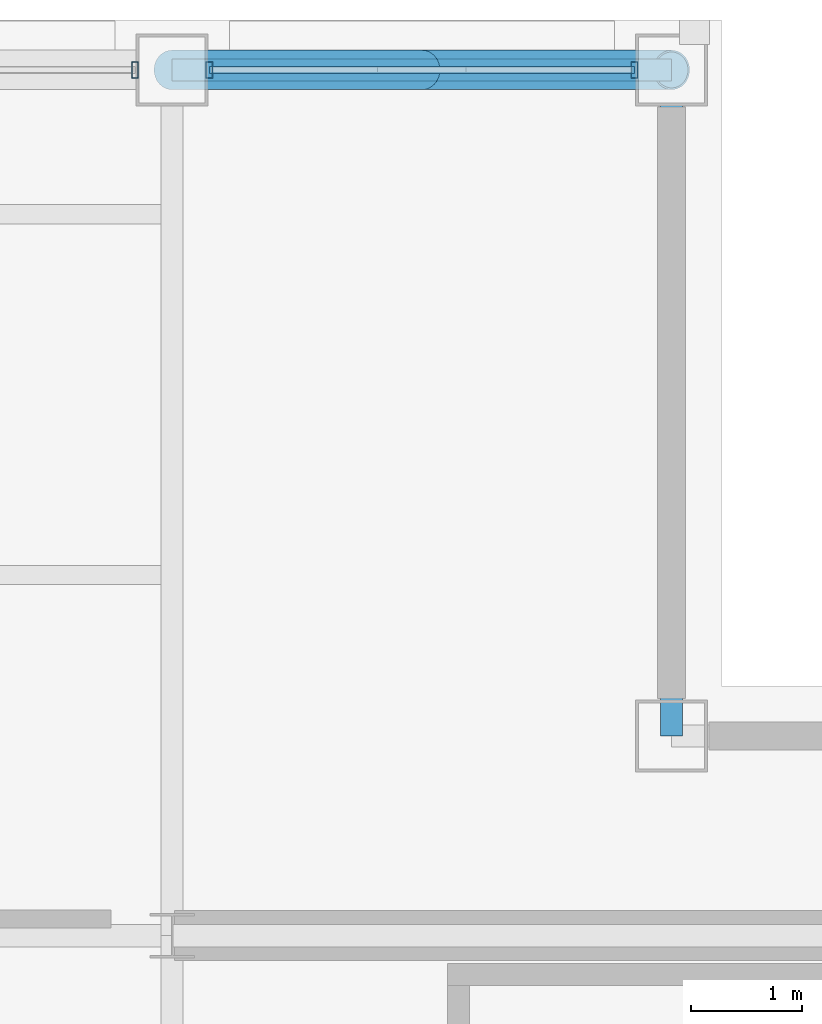
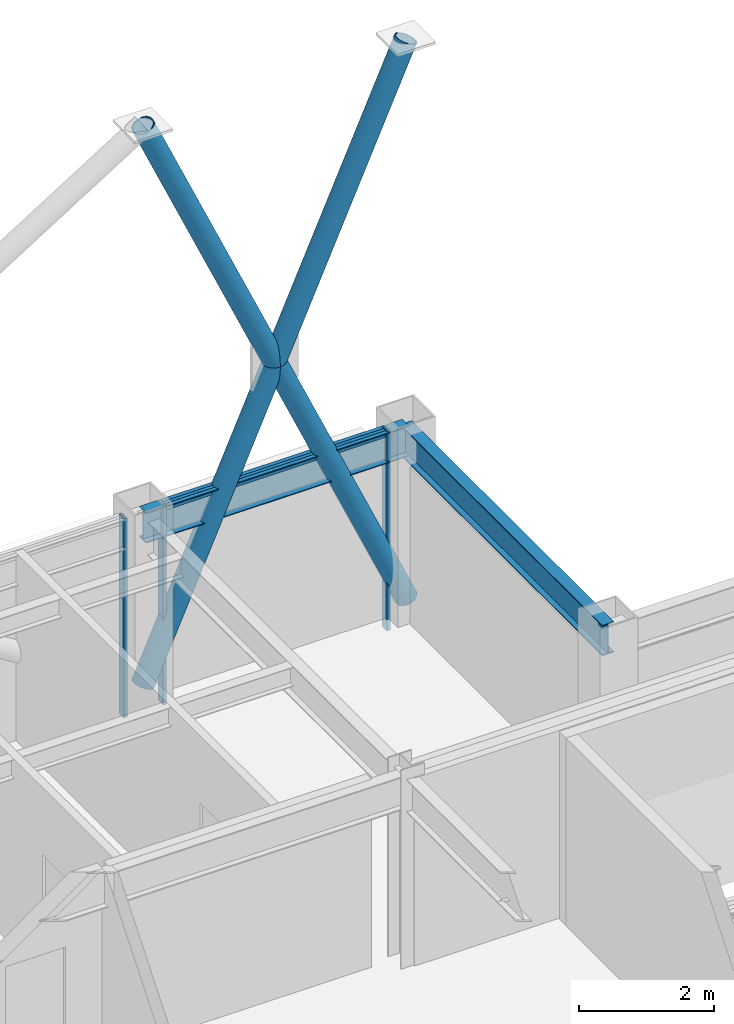
# One storey, part 19 of 26: 7 members, 2 beams, 2 elements without a shape of their own.
"""IFC4 building model written with IfcOpenShell, lengths in metres."""

from ifc_helpers import new_model, si_unit, direction, frame, origin, origin_2d, place, context, subcontext, project, spatial, hollow_rectangle, hollow_circle, i_section, extrude, material, layer, layer_set, material_profile, profile_set, type_object, element, aggregate, save


model = new_model("IFC4")

# Units and contexts
model_context = context("Model", 3, precision=1e-05, world=origin(), true_north=direction((0.0, 1.0)))
body_context = subcontext(model_context, "Body", "Model", "MODEL_VIEW")
ifc_project = project(units=[si_unit("LENGTHUNIT", "METRE"), si_unit("AREAUNIT", "SQUARE_METRE"), si_unit("VOLUMEUNIT", "CUBIC_METRE"), si_unit("PLANEANGLEUNIT", "RADIAN"), si_unit("MASSUNIT", "GRAM", prefix="KILO")], contexts=[model_context])

# Site, building, storey
site_placement = place(None, origin())
site = spatial("IfcSite", under=ifc_project, at=site_placement, CompositionType="ELEMENT")
building_placement = place(site_placement, origin())
building = spatial("IfcBuilding", under=site, at=building_placement, Name="Brelmoor Portico Tower", CompositionType="ELEMENT")
storey_placement = place(building_placement, frame((0.0, 0.0, 247.199951171875)))
storey = spatial("IfcBuildingStorey", under=building, at=storey_placement, Name="L65", CompositionType="ELEMENT", Elevation=247.199951171875)

# Beams
ifc_material_1 = material(Name="Steel Q355B", Category="steel")
ifc_material_profile_1 = material_profile(ifc_material_1, i_section(OverallWidth=0.199951171875, OverallDepth=0.550048828125, WebThickness=0.010009765625, FlangeThickness=0.01611328125, at=origin_2d()), Name="HN 550x200x10x16")
ifc_profile_set_1 = profile_set([ifc_material_profile_1], Name="Steel Q355B")
beam_type = type_object("IfcBeamType", Name="BM-SP-550", PredefinedType="SPANDREL", material=ifc_profile_set_1)
beam_1_placement = place(storey_placement, frame((8.050048828125, 17.550048828125, 3.125), z_axis=(1.0, 0.0, 0.0), x_axis=(0.0, 1.0, 0.0)))
element("IfcBeam", 1, at=beam_1_placement, inside=storey, type_object=beam_type, Name="L65 Perimeter Spandrel Beam SP-10", PredefinedType="SPANDREL", context=body_context, shape_type="SweptSolid", body=[
    extrude(i_section(OverallWidth=0.199951171875, OverallDepth=0.550048828125, WebThickness=0.010009765625, FlangeThickness=0.01611328125, at=origin_2d()), origin(), (0.0, 0.0, 1.0), 4.5),
])
beam_2_placement = place(storey_placement, frame((12.550048828125, 11.550048828125, 3.125), z_axis=(0.0, 1.0, 0.0), x_axis=(-1.0, 0.0, 0.0)))
element("IfcBeam", 2, at=beam_2_placement, inside=storey, type_object=beam_type, Name="L65 Perimeter Spandrel Beam SP-17", PredefinedType="SPANDREL", context=body_context, shape_type="SweptSolid", body=[
    extrude(i_section(OverallWidth=0.199951171875, OverallDepth=0.550048828125, WebThickness=0.010009765625, FlangeThickness=0.01611328125, at=origin_2d()), origin(), (0.0, 0.0, 1.0), 6.0),
])

# Members
ifc_material_profile_2 = material_profile(ifc_material_1, hollow_circle(Radius=0.177978515625, WallThickness=0.01611328125, at=origin_2d()), Name="CHS 356x16")
ifc_profile_set_2 = profile_set([ifc_material_profile_2], Name="Steel Q355B")
member_type_1 = type_object("IfcMemberType", Name="MB-BELT-DIAG2", PredefinedType="BRACE", material=ifc_profile_set_2)
member_1_placement = place(storey_placement, frame((8.050048828125, 17.550048828125, 0.25), z_axis=(0.406974140277, 0.0, 0.913439680081), x_axis=(0.0, 1.0, 0.0)))
element("IfcMember", 3, at=member_1_placement, inside=storey, type_object=member_type_1, Name="L65 Continuous Mega-X Brace 148A", PredefinedType="BRACE", context=body_context, shape_type="SweptSolid", body=[
    extrude(hollow_circle(Radius=0.177978515625, WallThickness=0.01611328125, at=origin_2d()), origin(), (0.0, 0.0, 1.0), 11.05712890625),
])
for number, where, z_axis, x_axis, name in (
    (4, (12.550048828125, 17.550048828125, 0.25), (-0.406974140277, 0.0, 0.913439680081), (0.0, -1.0, 0.0), "L65 Split Mega-X Brace 148B1"),
    (5, (10.300048828125, 17.550048828125, 5.300048828125), (-0.406974140277, 0.0, 0.913439680081), (0.0, -1.0, 0.0), "L65 Split Mega-X Brace 148B2"),
):
    element("IfcMember", number, at=place(storey_placement, frame(where, z_axis=z_axis, x_axis=x_axis)), inside=storey, type_object=member_type_1, Name=name, PredefinedType="BRACE", context=body_context, shape_type="SweptSolid", body=[
        extrude(hollow_circle(Radius=0.177978515625, WallThickness=0.01611328125, at=origin_2d()), origin(), (0.0, 0.0, 1.0), 5.528564453125),
    ])

# Curtain wall, member
ifc_material_2 = material(Name="Anodised Aluminium Alloy 6063-T6", Category="aluminium")
ifc_layer = layer(ifc_material_2, 0.179931640625)
ifc_layer_set = layer_set([ifc_layer], Name="Anodised Aluminium Alloy 6063-T6")
curtain_wall_type = type_object("IfcCurtainWallType", Name="CW-TOWER-Z4-XB", PredefinedType="NOTDEFINED", material=ifc_layer_set)
curtain_wall_1_placement = place(storey_placement, origin())
curtain_wall_1 = element("IfcCurtainWall", 6, at=curtain_wall_1_placement, inside=storey, type_object=curtain_wall_type, Name="L65 Curtain Wall CW-L65-02-2", PredefinedType="NOTDEFINED")
ifc_material_profile_3 = material_profile(ifc_material_2, hollow_rectangle(XDim=0.06005859375, YDim=0.14990234375, WallThickness=0.00390625, at=origin_2d()), Name="ALU MULLION 60x150")
ifc_profile_set_3 = profile_set([ifc_material_profile_3], Name="Anodised Aluminium Alloy 6063-T6")
member_type_2 = type_object("IfcMemberType", Name="MB-CW-MULL-150", PredefinedType="MULLION", material=ifc_profile_set_3)
member_2_placement = place(storey_placement, frame((7.715087890625, 17.550048828125, -0.199951171875), z_axis=(0.0, 0.0, 1.0), x_axis=(1.0, 0.0, 0.0)))
member_2 = element("IfcMember", 7, at=member_2_placement, type_object=member_type_2, Name="CW-L65-02-2 Mullion 01", PredefinedType="MULLION", context=body_context, shape_type="SweptSolid", body=[
    extrude(hollow_rectangle(XDim=0.06005859375, YDim=0.14990234375, WallThickness=0.00390625, at=origin_2d()), origin(), (0.0, 0.0, 1.0), 3.60009765625),
])
aggregate(curtain_wall_1, [member_2])

# Curtain wall, members
curtain_wall_2_placement = place(storey_placement, origin())
curtain_wall_2 = element("IfcCurtainWall", 8, at=curtain_wall_2_placement, inside=storey, type_object=curtain_wall_type, Name="L65 Curtain Wall CW-L65-02-3", PredefinedType="NOTDEFINED")
member_3_placement = place(storey_placement, frame((8.385009765625, 17.550048828125, -0.199951171875), z_axis=(0.0, 0.0, 1.0), x_axis=(1.0, 0.0, 0.0)))
member_3 = element("IfcMember", 9, at=member_3_placement, type_object=member_type_2, Name="CW-L65-02-3 Mullion 00", PredefinedType="MULLION", context=body_context, shape_type="SweptSolid", body=[
    extrude(hollow_rectangle(XDim=0.06005859375, YDim=0.14990234375, WallThickness=0.00390625, at=origin_2d()), origin(), (0.0, 0.0, 1.0), 3.60009765625),
])
member_4_placement = place(storey_placement, frame((12.215087890625, 17.550048828125, -0.199951171875), z_axis=(0.0, 0.0, 1.0), x_axis=(1.0, 0.0, 0.0)))
member_4 = element("IfcMember", 10, at=member_4_placement, type_object=member_type_2, Name="CW-L65-02-3 Mullion 01", PredefinedType="MULLION", context=body_context, shape_type="SweptSolid", body=[
    extrude(hollow_rectangle(XDim=0.06005859375, YDim=0.14990234375, WallThickness=0.00390625, at=origin_2d()), origin(), (0.0, 0.0, 1.0), 3.60009765625),
])
ifc_material_profile_4 = material_profile(ifc_material_2, hollow_rectangle(XDim=0.06005859375, YDim=0.125, WallThickness=0.00341796875, at=origin_2d()), Name="ALU TRANSOM 60x125")
ifc_profile_set_4 = profile_set([ifc_material_profile_4], Name="Anodised Aluminium Alloy 6063-T6")
member_type_3 = type_object("IfcMemberType", Name="MB-CW-TRAN-125", PredefinedType="USERDEFINED", material=ifc_profile_set_4)
member_5_placement = place(storey_placement, frame((8.385009765625, 17.550048828125, 3.337646484375), z_axis=(1.0, 0.0, 0.0), x_axis=(0.0, 1.0, 0.0)))
member_5 = element("IfcMember", 11, at=member_5_placement, type_object=member_type_3, Name="CW-L65-02-3 Transom 1-00", ObjectType="TRANSOM", PredefinedType="USERDEFINED", context=body_context, shape_type="SweptSolid", body=[
    extrude(hollow_rectangle(XDim=0.06005859375, YDim=0.125, WallThickness=0.00341796875, at=origin_2d()), origin(), (0.0, 0.0, 1.0), 3.830078125),
])
aggregate(curtain_wall_2, [member_3, member_4, member_5])

save(model, "model.ifc")
